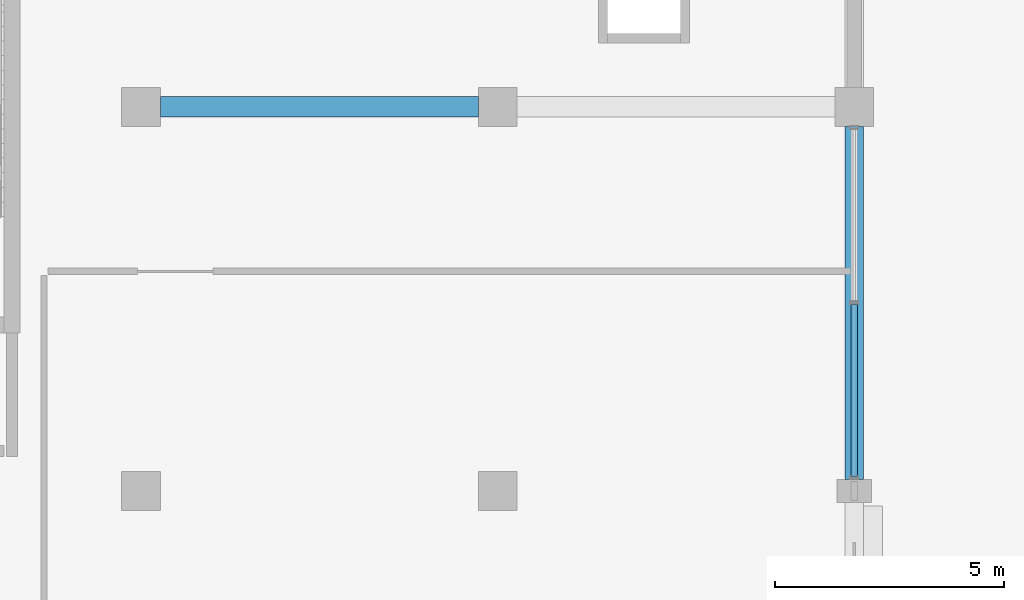
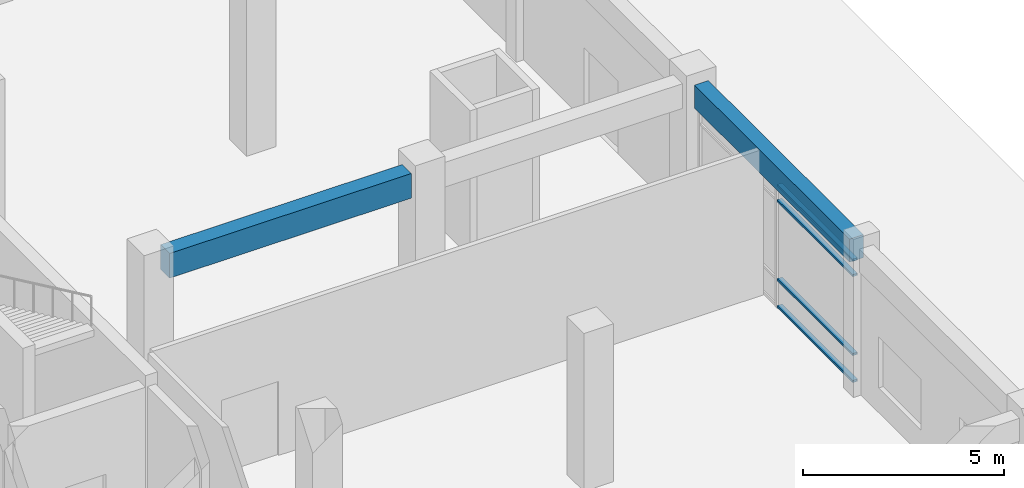
# One storey, part 38 of 74: 4 members, 2 beams, 1 element without a shape of its own.
"""IFC4 building model written with IfcOpenShell, lengths in metres."""

import ifcopenshell
import ifcopenshell.guid

model = None  # the IFC model being written
_history = None  # IfcOwnerHistory: only IFC2X3 demands one
_inside = {}  # id of a spatial element -> (the spatial element, [elements in it])
_under = {}  # id of a project, library or spatial element -> (it, [spatial elements below it])
_declared = {}  # id of a project -> (the project, [libraries it declares])
_typed = {}  # id of a type object -> (the type object, [elements of that type])
_made_of = {}  # id of a material, layer set ... -> (it, [elements and type objects made of it])


def new_model(schema):
    """Start an empty IFC model of exactly this schema.

    Asked for "IFC4X3", IfcOpenShell would pick the latest addendum, in which some entities
    have other attributes; the version numbers below select the first issue.
    IFC2X3 requires an IfcOwnerHistory on every rooted entity: one is made here for all.
    """
    global model, _history
    if schema == "IFC4X3":
        model = ifcopenshell.file(schema_version=(4, 3, 0, 0))
    else:
        model = ifcopenshell.file(schema=schema)
    _inside.clear()
    _under.clear()
    _declared.clear()
    _typed.clear()
    _made_of.clear()
    _history = None
    if model.schema == "IFC2X3":
        org = make("IfcOrganization", Name="unknown")
        user = make(
            "IfcPersonAndOrganization",
            ThePerson=make("IfcPerson", FamilyName="unknown"),
            TheOrganization=org,
        )
        app = make(
            "IfcApplication",
            ApplicationDeveloper=org,
            Version="unknown",
            ApplicationFullName="unknown",
            ApplicationIdentifier="unknown",
        )
        _history = make(
            "IfcOwnerHistory",
            OwningUser=user,
            OwningApplication=app,
            ChangeAction="ADDED",
            CreationDate=0,
        )
    return model


def make(cls, **values):
    """One entity of the class cls with the attributes given. An attribute that is None is left unset."""
    return model.create_entity(
        cls, **{name: value for name, value in values.items() if value is not None}
    )


def rooted(cls, **values):
    """An entity with a GlobalId (a new one), such as an element, a storey or a relation."""
    return make(cls, GlobalId=ifcopenshell.guid.new(), OwnerHistory=_history, **values)


def si_unit(unit_type, name, prefix=None):
    """IfcSIUnit, for example si_unit("LENGTHUNIT", "METRE", prefix="MILLI")."""
    return make("IfcSIUnit", UnitType=unit_type, Prefix=prefix, Name=name)


def assignment(units):
    """IfcUnitAssignment: the units of a project."""
    return None if units is None else make("IfcUnitAssignment", Units=units)


def point(xyz):
    """IfcCartesianPoint."""
    return None if xyz is None else make("IfcCartesianPoint", Coordinates=xyz)


def direction(xyz):
    """IfcDirection."""
    return None if xyz is None else make("IfcDirection", DirectionRatios=xyz)


def frame(location, z_axis=None, x_axis=None):
    """IfcAxis2Placement3D, a coordinate frame: its origin and axes. An axis left out is left unset."""
    return make(
        "IfcAxis2Placement3D",
        Location=point(location),
        Axis=direction(z_axis),
        RefDirection=direction(x_axis),
    )


def frame_2d(location, x_axis=None):
    """IfcAxis2Placement2D, a coordinate frame in the plane: its origin and x axis."""
    return make(
        "IfcAxis2Placement2D", Location=point(location), RefDirection=direction(x_axis)
    )


def origin():
    """The frame at (0, 0, 0) with its axes left unset."""
    return frame((0.0, 0.0, 0.0))


def origin_2d():
    """The frame at (0, 0) in the plane with its x axis left unset."""
    return frame_2d((0.0, 0.0))


def place(relative_to, where):
    """IfcLocalPlacement: puts the frame where relative to a parent placement (None: the world)."""
    return make(
        "IfcLocalPlacement", PlacementRelTo=relative_to, RelativePlacement=where
    )


def context(
    kind, dimensions, precision=None, world=None, true_north=None, identifier=None
):
    """IfcGeometricRepresentationContext, for example the 3D "Model" context."""
    return make(
        "IfcGeometricRepresentationContext",
        ContextIdentifier=identifier,
        ContextType=kind,
        CoordinateSpaceDimension=dimensions,
        Precision=precision,
        WorldCoordinateSystem=world,
        TrueNorth=true_north,
    )


def subcontext(parent, identifier, kind, view, scale=None):
    """IfcGeometricRepresentationSubContext, for example "Body" below "Model"."""
    return make(
        "IfcGeometricRepresentationSubContext",
        ContextIdentifier=identifier,
        ContextType=kind,
        ParentContext=parent,
        TargetScale=scale,
        TargetView=view,
    )


def project(units=None, contexts=None):
    """IfcProject with its units and contexts."""
    return rooted(
        "IfcProject",
        Name="project",
        RepresentationContexts=contexts,
        UnitsInContext=assignment(units),
    )


def spatial(cls, under=None, at=None, **own):
    """A site, building, storey or space (cls), placed at a placement, below another one or the project."""
    s = rooted(cls, ObjectPlacement=at, **own)
    if under is not None:
        _under.setdefault(under.id(), (under, []))[1].append(s)
    return s


def profile(cls, at=None, kind="AREA", **sizes):
    """A parametric profile (cls). Its sizes go by their IFC names, for example OverallWidth=200.0."""
    return make(cls, ProfileType=kind, Position=at, **sizes)


def rectangle(**sizes):
    """IfcRectangleProfileDef."""
    return profile("IfcRectangleProfileDef", **sizes)


def hollow_rectangle(**sizes):
    """IfcRectangleHollowProfileDef."""
    return profile("IfcRectangleHollowProfileDef", **sizes)


def extrude(swept, where, along, depth):
    """IfcExtrudedAreaSolid: the profile swept, set in the frame where, extruded along a direction by depth."""
    return make(
        "IfcExtrudedAreaSolid",
        SweptArea=swept,
        Position=where,
        ExtrudedDirection=direction(along),
        Depth=depth,
    )


def shape(context_of_items, identifier, shape_type, items):
    """IfcShapeRepresentation: the items that make up one representation, for example the "Body"."""
    return make(
        "IfcShapeRepresentation",
        ContextOfItems=context_of_items,
        RepresentationIdentifier=identifier,
        RepresentationType=shape_type,
        Items=items,
    )


def material(Name=None, Category=None):
    """IfcMaterial."""
    return make("IfcMaterial", Name=Name, Category=Category)


def material_profile(
    of_material, cross_section, Name=None, Category=None, Priority=None
):
    """IfcMaterialProfile: a cross section and its material."""
    return make(
        "IfcMaterialProfile",
        Name=Name,
        Material=of_material,
        Profile=cross_section,
        Priority=Priority,
        Category=Category,
    )


def profile_set(profiles, Name=None, composite=None):
    """IfcMaterialProfileSet."""
    return make(
        "IfcMaterialProfileSet",
        Name=Name,
        MaterialProfiles=profiles,
        CompositeProfile=composite,
    )


def made_of(thing, what):
    """Note that an element or type object is made of a material, layer set ...; save() writes the relation."""
    if what is not None:
        _made_of.setdefault(what.id(), (what, []))[1].append(thing)
    return thing


def type_object(cls, material=None, **own):
    """A type object (cls), such as IfcWallType, which elements share."""
    return made_of(rooted(cls, **own), material)


def element(
    cls,
    number,
    at=None,
    inside=None,
    cuts=None,
    type_object=None,
    material=None,
    context=None,
    identifier="Body",
    shape_type=None,
    held_by="IfcProductDefinitionShape",
    body=None,
    shapes=None,
    **own,
):
    """One element of the class cls, such as IfcWall. Its Tag is "e" and its number.

    at: its placement. inside: the storey or other place that contains it. cuts: it is an
    opening in that element (IfcRelVoidsElement). A single representation is given by context,
    identifier, shape_type and body (its items); several are given by shapes. held_by: the class
    of the entity that holds the representations. save() writes the other relations.
    """
    e = rooted(cls, Tag="e%d" % number, ObjectPlacement=at, **own)
    if body is not None:
        shapes = [shape(context, identifier, shape_type, body)]
    if shapes is not None:
        e.Representation = make(held_by, Representations=shapes)
    if inside is not None:
        _inside.setdefault(inside.id(), (inside, []))[1].append(e)
    if cuts is not None:
        rooted(
            "IfcRelVoidsElement", RelatingBuildingElement=cuts, RelatedOpeningElement=e
        )
    if type_object is not None:
        _typed.setdefault(type_object.id(), (type_object, []))[1].append(e)
    return made_of(e, material)


def aggregate(whole, parts):
    """IfcRelAggregates: a whole, such as a stair, and the parts it consists of."""
    return rooted("IfcRelAggregates", RelatingObject=whole, RelatedObjects=parts)


def save(model, path):
    """Write the relations noted so far, then the file.

    IfcRelAggregates (storeys below a building ...), IfcRelContainedInSpatialStructure (elements
    in a storey), IfcRelDefinesByType, IfcRelAssociatesMaterial and IfcRelDeclares: one each for
    every whole, place, type object, material and project.
    """
    for whole, parts in _under.values():
        aggregate(whole, parts)
    for where, things in _inside.values():
        rooted(
            "IfcRelContainedInSpatialStructure",
            RelatedElements=things,
            RelatingStructure=where,
        )
    for kind, things in _typed.values():
        rooted("IfcRelDefinesByType", RelatedObjects=things, RelatingType=kind)
    for what, things in _made_of.values():
        rooted("IfcRelAssociatesMaterial", RelatedObjects=things, RelatingMaterial=what)
    for by, libraries in _declared.values():
        rooted("IfcRelDeclares", RelatingContext=by, RelatedDefinitions=libraries)
    model.write(path)


model = new_model("IFC4")

# Units and contexts
model_context = context("Model", 3, precision=1e-05, world=origin(), true_north=direction((0.0, 1.0)))
body_context = subcontext(model_context, "Body", "Model", "MODEL_VIEW")
ifc_project = project(units=[si_unit("LENGTHUNIT", "METRE"), si_unit("AREAUNIT", "SQUARE_METRE"), si_unit("VOLUMEUNIT", "CUBIC_METRE"), si_unit("PLANEANGLEUNIT", "RADIAN"), si_unit("MASSUNIT", "GRAM", prefix="KILO"), si_unit("THERMODYNAMICTEMPERATUREUNIT", "KELVIN"), si_unit("POWERUNIT", "WATT")], contexts=[model_context])

# Site, building, storey
site_placement = place(None, origin())
site = spatial("IfcSite", under=ifc_project, at=site_placement, CompositionType="ELEMENT")
building_placement = place(site_placement, origin())
building = spatial("IfcBuilding", under=site, at=building_placement, Name="Srebrne Nadtorze General Hospital", CompositionType="ELEMENT")
storey_placement = place(building_placement, origin())
storey = spatial("IfcBuildingStorey", under=building, at=storey_placement, Name="L00", CompositionType="ELEMENT", Elevation=0.0)

# Curtain wall, members
ifc_material_1 = material(Name="Anodised Aluminium", Category="aluminium")
curtain_wall_type = type_object("IfcCurtainWallType", Name="Unitised curtain wall 7725x3750", PredefinedType="NOTDEFINED", material=ifc_material_1)
curtain_wall_placement = place(storey_placement, origin())
curtain_wall = element("IfcCurtainWall", 1, at=curtain_wall_placement, inside=storey, type_object=curtain_wall_type, Name="Curtain wall CW-029", PredefinedType="NOTDEFINED")
ifc_material_2 = material(Name="Anodised Aluminium", Category="aluminium")
ifc_material_profile_1 = material_profile(ifc_material_2, hollow_rectangle(XDim=0.06494140625, YDim=0.139892578125, WallThickness=0.00390625, at=origin_2d()), Name="AL-TRN-65x140")
ifc_profile_set_1 = profile_set([ifc_material_profile_1], Name="Anodised Aluminium")
member_type = type_object("IfcMemberType", Name="Curtain transom 65x140", PredefinedType="USERDEFINED", material=ifc_profile_set_1)
member_1_placement = place(storey_placement, frame((171.60009765625, 42.31494140625, 0.032470703125), z_axis=(0.0, 1.0, 0.0), x_axis=(0.0, 0.0, 1.0)))
member_1 = element("IfcMember", 2, at=member_1_placement, type_object=member_type, Name="CW-029 transom 1.1", ObjectType="TRANSOM", PredefinedType="USERDEFINED", context=body_context, shape_type="SweptSolid", body=[
    extrude(hollow_rectangle(XDim=0.06494140625, YDim=0.139892578125, WallThickness=0.00390625, at=origin_2d()), origin(), (0.0, 0.0, 1.0), 3.76513671875),
])
member_2_placement = place(storey_placement, frame((171.60009765625, 42.31494140625, 0.85009765625), z_axis=(0.0, 1.0, 0.0), x_axis=(0.0, 0.0, 1.0)))
member_2 = element("IfcMember", 3, at=member_2_placement, type_object=member_type, Name="CW-029 transom 1.2", ObjectType="TRANSOM", PredefinedType="USERDEFINED", context=body_context, shape_type="SweptSolid", body=[
    extrude(hollow_rectangle(XDim=0.06494140625, YDim=0.139892578125, WallThickness=0.00390625, at=origin_2d()), origin(), (0.0, 0.0, 1.0), 3.76513671875),
])
member_3_placement = place(storey_placement, frame((171.60009765625, 42.31494140625, 3.25), z_axis=(0.0, 1.0, 0.0), x_axis=(0.0, 0.0, 1.0)))
member_3 = element("IfcMember", 4, at=member_3_placement, type_object=member_type, Name="CW-029 transom 1.3", ObjectType="TRANSOM", PredefinedType="USERDEFINED", context=body_context, shape_type="SweptSolid", body=[
    extrude(hollow_rectangle(XDim=0.06494140625, YDim=0.139892578125, WallThickness=0.00390625, at=origin_2d()), origin(), (0.0, 0.0, 1.0), 3.76513671875),
])
member_4_placement = place(storey_placement, frame((171.60009765625, 42.31494140625, 3.717529296875), z_axis=(0.0, 1.0, 0.0), x_axis=(0.0, 0.0, 1.0)))
member_4 = element("IfcMember", 5, at=member_4_placement, type_object=member_type, Name="CW-029 transom 1.4", ObjectType="TRANSOM", PredefinedType="USERDEFINED", context=body_context, shape_type="SweptSolid", body=[
    extrude(hollow_rectangle(XDim=0.06494140625, YDim=0.139892578125, WallThickness=0.00390625, at=origin_2d()), origin(), (0.0, 0.0, 1.0), 3.76513671875),
])
aggregate(curtain_wall, [member_1, member_2, member_3, member_4])

# Beams
ifc_material_3 = material(Name="Concrete C40/50", Category="concrete")
ifc_material_profile_2 = material_profile(ifc_material_3, rectangle(XDim=0.39990234375, YDim=0.699951171875, at=origin_2d()), Name="RC-BM-400x700")
ifc_profile_set_2 = profile_set([ifc_material_profile_2], Name="Concrete C40/50")
beam_type_1 = type_object("IfcBeamType", Name="Edge beam RC 400x700", PredefinedType="BEAM", material=ifc_profile_set_2)
beam_1_placement = place(storey_placement, frame((171.60009765625, 42.25, 4.10009765625), z_axis=(0.0, 1.0, 0.0), x_axis=(-1.0, 0.0, 0.0)))
element("IfcBeam", 6, at=beam_1_placement, inside=storey, type_object=beam_type_1, Name="Beam BM-L00-Y-0362", PredefinedType="BEAM", context=body_context, shape_type="SweptSolid", body=[
    extrude(rectangle(XDim=0.39990234375, YDim=0.699951171875, at=origin_2d()), origin(), (0.0, 0.0, 1.0), 7.72509765625),
])
ifc_material_4 = material(Name="Concrete C40/50", Category="concrete")
ifc_material_profile_3 = material_profile(ifc_material_4, rectangle(XDim=0.449951171875, YDim=0.75, at=origin_2d()), Name="RC-BM-450x750")
ifc_profile_set_3 = profile_set([ifc_material_profile_3], Name="Concrete C40/50")
beam_type_2 = type_object("IfcBeamType", Name="Primary beam RC 450x750", PredefinedType="BEAM", material=ifc_profile_set_3)
beam_2_placement = place(storey_placement, frame((156.425048828125, 50.39990234375, 4.074951171875), z_axis=(1.0, 0.0, 0.0), x_axis=(0.0, 1.0, 0.0)))
element("IfcBeam", 7, at=beam_2_placement, inside=storey, type_object=beam_type_2, Name="Beam BM-L00-X-0239", PredefinedType="BEAM", context=body_context, shape_type="SweptSolid", body=[
    extrude(rectangle(XDim=0.449951171875, YDim=0.75, at=origin_2d()), origin(), (0.0, 0.0, 1.0), 6.949951171875),
])

save(model, "model.ifc")
